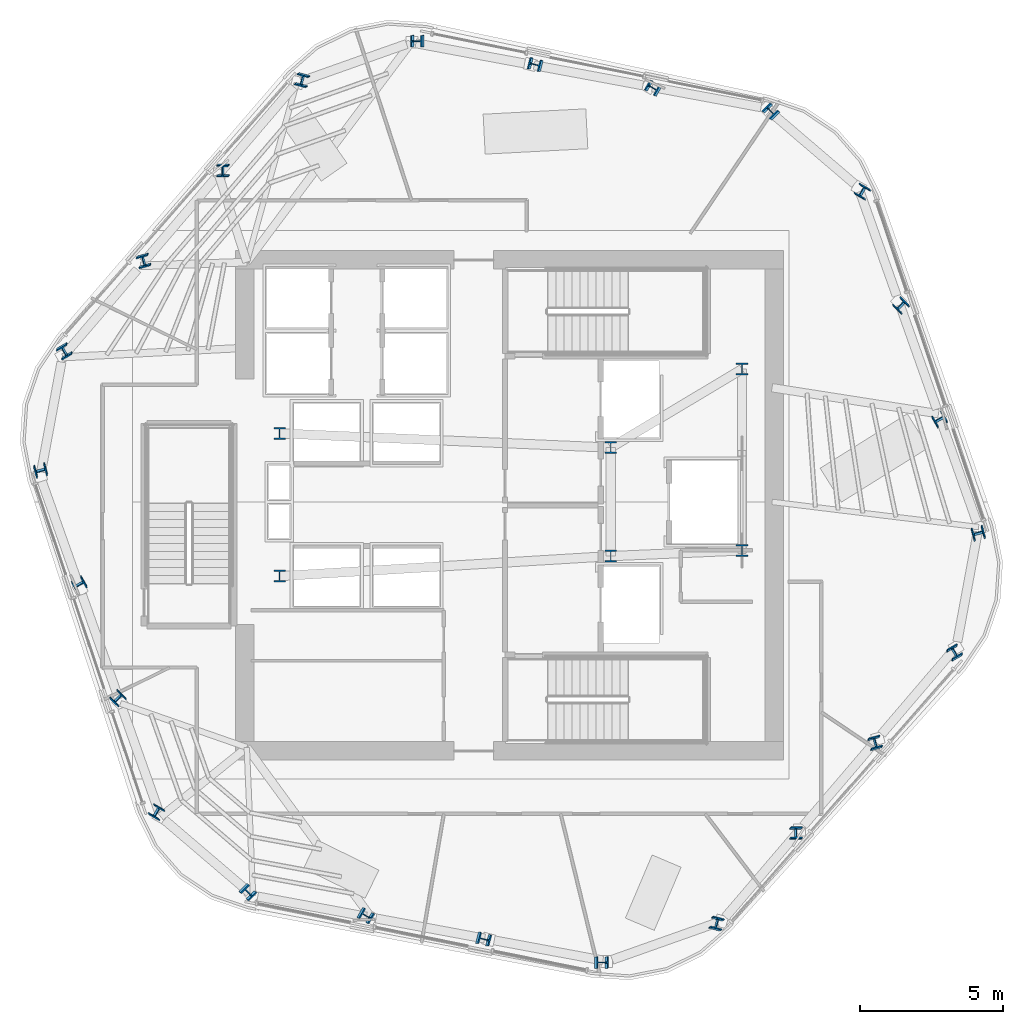
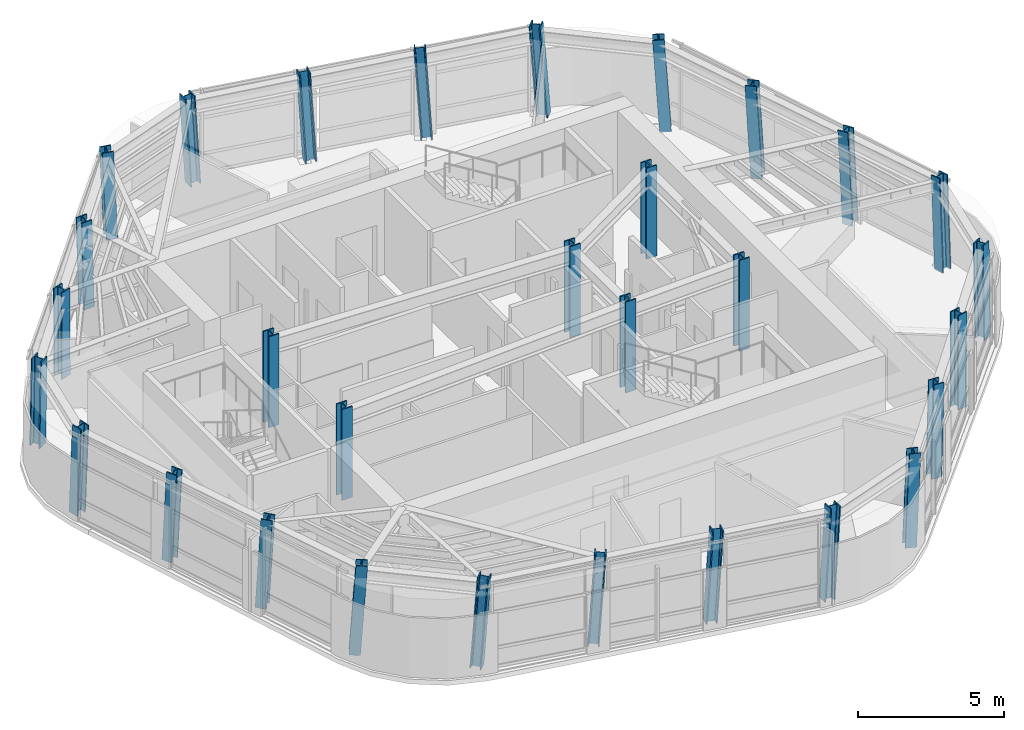
# One storey, part 1 of 12: 30 columns.
"""IFC4 building model written with IfcOpenShell, lengths in metres."""

from ifc_helpers import new_model, si_unit, direction, frame, origin, origin_2d, place, context, subcontext, project, spatial, i_section, extrude, material, material_profile, profile_set, type_object, element, save


model = new_model("IFC4")

# Units and contexts
model_context = context("Model", 3, precision=1e-05, world=origin(), true_north=direction((0.0, 1.0)))
body_context = subcontext(model_context, "Body", "Model", "MODEL_VIEW")
ifc_project = project(units=[si_unit("LENGTHUNIT", "METRE"), si_unit("AREAUNIT", "SQUARE_METRE"), si_unit("VOLUMEUNIT", "CUBIC_METRE"), si_unit("PLANEANGLEUNIT", "RADIAN"), si_unit("MASSUNIT", "GRAM", prefix="KILO")], contexts=[model_context])

# Site, building, storey
site_placement = place(None, origin())
site = spatial("IfcSite", under=ifc_project, at=site_placement, CompositionType="ELEMENT")
building_placement = place(site_placement, origin())
building = spatial("IfcBuilding", under=site, at=building_placement, Name="Valkerne Bourse Tower", CompositionType="ELEMENT")
storey_placement = place(building_placement, frame((0.0, 0.0, 232.199951171875)))
storey = spatial("IfcBuildingStorey", under=building, at=storey_placement, Name="L59", CompositionType="ELEMENT", Elevation=232.199951171875)

# Columns
ifc_material = material(Name="Steel ASTM A913 Grade 65", Category="steel")
ifc_material_profile_1 = material_profile(ifc_material, i_section(OverallWidth=0.40380859375, OverallDepth=0.406494140625, WebThickness=0.027099609375, FlangeThickness=0.043701171875, FilletRadius=0.025390625, at=origin_2d()), Name="W14X233")
ifc_profile_set_1 = profile_set([ifc_material_profile_1], Name="Steel ASTM A913 Grade 65")
column_type_1 = type_object("IfcColumnType", Name="COL-W14X233", PredefinedType="COLUMN", material=ifc_profile_set_1)
column_1_placement = place(storey_placement, frame((55.99755859375, 40.650146484375, 0.010009765625), z_axis=(-0.056882678863, 0.037685579994, 0.997669363019), x_axis=(0.705796998482, 0.708285747788, 0.013486897863)))
element("IfcColumn", 1, at=column_1_placement, inside=storey, type_object=column_type_1, Name="L59 Helical Perimeter Tube Column F1-C1", PredefinedType="COLUMN", context=body_context, shape_type="SweptSolid", body=[
    extrude(i_section(OverallWidth=0.40380859375, OverallDepth=0.406494140625, WebThickness=0.027099609375, FlangeThickness=0.043701171875, FilletRadius=0.025390625, at=origin_2d()), origin(), (0.0, 0.0, 1.0), 3.789794921875),
])
for number, where, z_axis, x_axis, name in (
    (2, (51.86865234375, 41.482666015625, 0.010009765625), (-0.060250754527, 0.02055613978, 0.997971588622), (0.503220128443, 0.864066646389, 0.012583041254), "L59 Helical Perimeter Tube Column F1-C2"),
    (3, (47.73974609375, 42.315185546875, 0.010009765625), (-0.063537302581, 0.003350851657, 0.997973838822), (0.248609233665, 0.968522220435, 0.012576066955), "L59 Helical Perimeter Tube Column F1-C3"),
):
    element("IfcColumn", number, at=place(storey_placement, frame(where, z_axis=z_axis, x_axis=x_axis)), inside=storey, type_object=column_type_1, Name=name, PredefinedType="COLUMN", context=body_context, shape_type="SweptSolid", body=[
        extrude(i_section(OverallWidth=0.40380859375, OverallDepth=0.406494140625, WebThickness=0.027099609375, FlangeThickness=0.043701171875, FilletRadius=0.025390625, at=origin_2d()), origin(), (0.0, 0.0, 1.0), 3.78857421875),
    ])
for number, where, z_axis, x_axis, name in (
    (4, (43.61083984375, 43.147705078125, 0.010009765625), (-0.066867622332, -0.01372139071, 0.997667501987), (-0.003876825481, 0.999901459512, 0.0134922752), "L59 Helical Perimeter Tube Column F1-C4"),
    (5, (39.577392578125, 41.790283203125, 0.010009765625), (-0.06107001951, -0.030406170052, 0.99767024489), (-0.964669126553, 0.25844686, -0.051173204239), "L59 Helical Perimeter Tube Column F2-C1"),
):
    element("IfcColumn", number, at=place(storey_placement, frame(where, z_axis=z_axis, x_axis=x_axis)), inside=storey, type_object=column_type_1, Name=name, PredefinedType="COLUMN", context=body_context, shape_type="SweptSolid", body=[
        extrude(i_section(OverallWidth=0.40380859375, OverallDepth=0.406494140625, WebThickness=0.027099609375, FlangeThickness=0.043701171875, FilletRadius=0.025390625, at=origin_2d()), origin(), (0.0, 0.0, 1.0), 3.789794921875),
    ])
for number, where, z_axis, x_axis, name in (
    (6, (36.7919921875, 38.630859375, 0.010009765625), (-0.04787854992, -0.041885676242, 0.9979745661), (-0.998849174021, 0.004831951222, -0.047717709563), "L59 Helical Perimeter Tube Column F2-C2"),
    (7, (34.006591796875, 35.471435546875, 0.010009765625), (-0.034732779322, -0.053355735212, 0.997971342054), (-0.9626264008, -0.266589219408, -0.047755633996), "L59 Helical Perimeter Tube Column F2-C3"),
):
    element("IfcColumn", number, at=place(storey_placement, frame(where, z_axis=z_axis, x_axis=x_axis)), inside=storey, type_object=column_type_1, Name=name, PredefinedType="COLUMN", context=body_context, shape_type="SweptSolid", body=[
        extrude(i_section(OverallWidth=0.40380859375, OverallDepth=0.406494140625, WebThickness=0.027099609375, FlangeThickness=0.043701171875, FilletRadius=0.025390625, at=origin_2d()), origin(), (0.0, 0.0, 1.0), 3.78857421875),
    ])
for number, where, z_axis, x_axis, name in (
    (8, (31.22119140625, 32.31201171875, 0.010009765625), (-0.021516226351, -0.06474193857, 0.997670052369), (-0.863579802774, -0.501608424234, -0.051175316103), "L59 Helical Perimeter Tube Column F2-C4"),
    (9, (30.3798828125, 28.14013671875, 0.010009765625), (-0.004187290489, -0.068091785335, 0.997670273872), (0.260320515858, -0.963354909563, -0.064657151539), "L59 Helical Perimeter Tube Column F3-C1"),
):
    element("IfcColumn", number, at=place(storey_placement, frame(where, z_axis=z_axis, x_axis=x_axis)), inside=storey, type_object=column_type_1, Name=name, PredefinedType="COLUMN", context=body_context, shape_type="SweptSolid", body=[
        extrude(i_section(OverallWidth=0.40380859375, OverallDepth=0.406494140625, WebThickness=0.027099609375, FlangeThickness=0.043701171875, FilletRadius=0.025390625, at=origin_2d()), origin(), (0.0, 0.0, 1.0), 3.789794921875),
    ])
for number, where, z_axis, x_axis, name in (
    (10, (31.723388671875, 24.148193359375, 0.010009765625), (0.012307971544, -0.062377573059, 0.997976729296), (0.496025324743, -0.866214573891, -0.060259349425), "L59 Helical Perimeter Tube Column F3-C2"),
    (11, (33.06689453125, 20.15625, 0.010009765625), (0.028804477688, -0.056706801712, 0.997975270588), (0.712729936799, -0.698843496564, -0.060281045956), "L59 Helical Perimeter Tube Column F3-C3"),
):
    element("IfcColumn", number, at=place(storey_placement, frame(where, z_axis=z_axis, x_axis=x_axis)), inside=storey, type_object=column_type_1, Name=name, PredefinedType="COLUMN", context=body_context, shape_type="SweptSolid", body=[
        extrude(i_section(OverallWidth=0.40380859375, OverallDepth=0.406494140625, WebThickness=0.027099609375, FlangeThickness=0.043701171875, FilletRadius=0.025390625, at=origin_2d()), origin(), (0.0, 0.0, 1.0), 3.78857421875),
    ])
for number, where, z_axis, x_axis, name in (
    (12, (34.410400390625, 16.164306640625, 0.010009765625), (0.045287157228, -0.051020524217, 0.997670275942), (0.866239835505, -0.495427092365, -0.064657122846), "L59 Helical Perimeter Tube Column F3-C4"),
    (13, (37.6025390625, 13.349853515625, 0.010009765625), (0.056882678863, -0.037685579994, 0.997669363019), (0.705796998482, 0.708285747788, -0.013486897863), "L59 Helical Perimeter Tube Column F4-C1"),
):
    element("IfcColumn", number, at=place(storey_placement, frame(where, z_axis=z_axis, x_axis=x_axis)), inside=storey, type_object=column_type_1, Name=name, PredefinedType="COLUMN", context=body_context, shape_type="SweptSolid", body=[
        extrude(i_section(OverallWidth=0.40380859375, OverallDepth=0.406494140625, WebThickness=0.027099609375, FlangeThickness=0.043701171875, FilletRadius=0.025390625, at=origin_2d()), origin(), (0.0, 0.0, 1.0), 3.789794921875),
    ])
for number, where, z_axis, x_axis, name in (
    (14, (41.7314453125, 12.517333984375, 0.010009765625), (0.060186548768, -0.020556219547, 0.997975461214), (0.503503515955, 0.863901718063, -0.012571036084), "L59 Helical Perimeter Tube Column F4-C2"),
    (15, (45.8603515625, 11.684814453125, 0.010009765625), (0.063537302581, -0.003350851657, 0.997973838822), (0.248609233665, 0.968522220435, -0.012576066955), "L59 Helical Perimeter Tube Column F4-C3"),
):
    element("IfcColumn", number, at=place(storey_placement, frame(where, z_axis=z_axis, x_axis=x_axis)), inside=storey, type_object=column_type_1, Name=name, PredefinedType="COLUMN", context=body_context, shape_type="SweptSolid", body=[
        extrude(i_section(OverallWidth=0.40380859375, OverallDepth=0.406494140625, WebThickness=0.027099609375, FlangeThickness=0.043701171875, FilletRadius=0.025390625, at=origin_2d()), origin(), (0.0, 0.0, 1.0), 3.78857421875),
    ])
for number, where, z_axis, x_axis, name in (
    (16, (49.9892578125, 10.852294921875, 0.010009765625), (0.066803490282, 0.013721449788, 0.997671797487), (-0.004065852672, 0.999900876191, -0.013479860361), "L59 Helical Perimeter Tube Column F4-C4"),
    (17, (54.022705078125, 12.209716796875, 0.010009765625), (0.061005839537, 0.030406289611, 0.9976741678), (-0.964780538988, 0.258039181251, 0.05113015283), "L59 Helical Perimeter Tube Column F5-C1"),
):
    element("IfcColumn", number, at=place(storey_placement, frame(where, z_axis=z_axis, x_axis=x_axis)), inside=storey, type_object=column_type_1, Name=name, PredefinedType="COLUMN", context=body_context, shape_type="SweptSolid", body=[
        extrude(i_section(OverallWidth=0.40380859375, OverallDepth=0.406494140625, WebThickness=0.027099609375, FlangeThickness=0.043701171875, FilletRadius=0.025390625, at=origin_2d()), origin(), (0.0, 0.0, 1.0), 3.789794921875),
    ])
for number, where, z_axis, x_axis, name in (
    (18, (56.80810546875, 15.369140625, 0.010009765625), (0.04787854992, 0.041885676242, 0.9979745661), (-0.998849174021, 0.004831951222, 0.047717709563), "L59 Helical Perimeter Tube Column F5-C2"),
    (19, (59.593505859375, 18.528564453125, 0.010009765625), (0.034732779322, 0.053355735212, 0.997971342054), (-0.9626264008, -0.266589219408, 0.047755633996), "L59 Helical Perimeter Tube Column F5-C3"),
):
    element("IfcColumn", number, at=place(storey_placement, frame(where, z_axis=z_axis, x_axis=x_axis)), inside=storey, type_object=column_type_1, Name=name, PredefinedType="COLUMN", context=body_context, shape_type="SweptSolid", body=[
        extrude(i_section(OverallWidth=0.40380859375, OverallDepth=0.406494140625, WebThickness=0.027099609375, FlangeThickness=0.043701171875, FilletRadius=0.025390625, at=origin_2d()), origin(), (0.0, 0.0, 1.0), 3.78857421875),
    ])
for number, where, z_axis, x_axis, name in (
    (20, (62.37890625, 21.68798828125, 0.010009765625), (0.021516226351, 0.06474193857, 0.997670052369), (-0.863579802774, -0.501608424234, 0.051175316103), "L59 Helical Perimeter Tube Column F5-C4"),
    (21, (63.22021484375, 25.85986328125, 0.010009765625), (0.004187290489, 0.068091785335, 0.997670273872), (0.260320515858, -0.963354909563, 0.064657151539), "L59 Helical Perimeter Tube Column F6-C1"),
):
    element("IfcColumn", number, at=place(storey_placement, frame(where, z_axis=z_axis, x_axis=x_axis)), inside=storey, type_object=column_type_1, Name=name, PredefinedType="COLUMN", context=body_context, shape_type="SweptSolid", body=[
        extrude(i_section(OverallWidth=0.40380859375, OverallDepth=0.406494140625, WebThickness=0.027099609375, FlangeThickness=0.043701171875, FilletRadius=0.025390625, at=origin_2d()), origin(), (0.0, 0.0, 1.0), 3.789794921875),
    ])
for number, where, z_axis, x_axis, name in (
    (22, (61.876708984375, 29.851806640625, 0.010009765625), (-0.012307971544, 0.062377573059, 0.997976729296), (0.496025324743, -0.866214573891, 0.060259349425), "L59 Helical Perimeter Tube Column F6-C2"),
    (23, (60.533203125, 33.84375, 0.010009765625), (-0.028804477688, 0.056706801712, 0.997975270588), (0.712729936799, -0.698843496564, 0.060281045956), "L59 Helical Perimeter Tube Column F6-C3"),
):
    element("IfcColumn", number, at=place(storey_placement, frame(where, z_axis=z_axis, x_axis=x_axis)), inside=storey, type_object=column_type_1, Name=name, PredefinedType="COLUMN", context=body_context, shape_type="SweptSolid", body=[
        extrude(i_section(OverallWidth=0.40380859375, OverallDepth=0.406494140625, WebThickness=0.027099609375, FlangeThickness=0.043701171875, FilletRadius=0.025390625, at=origin_2d()), origin(), (0.0, 0.0, 1.0), 3.78857421875),
    ])
column_2_placement = place(storey_placement, frame((59.189697265625, 37.835693359375, 0.010009765625), z_axis=(-0.045287157228, 0.051020524217, 0.997670275942), x_axis=(0.866239835505, -0.495427092365, 0.064657122846)))
element("IfcColumn", 24, at=column_2_placement, inside=storey, type_object=column_type_1, Name="L59 Helical Perimeter Tube Column F6-C4", PredefinedType="COLUMN", context=body_context, shape_type="SweptSolid", body=[
    extrude(i_section(OverallWidth=0.40380859375, OverallDepth=0.406494140625, WebThickness=0.027099609375, FlangeThickness=0.043701171875, FilletRadius=0.025390625, at=origin_2d()), origin(), (0.0, 0.0, 1.0), 3.789794921875),
])
ifc_material_profile_2 = material_profile(ifc_material, i_section(OverallWidth=0.408935546875, OverallDepth=0.42431640625, WebThickness=0.03271484375, FlangeThickness=0.052490234375, FilletRadius=0.025390625, at=origin_2d()), Name="W14X283")
ifc_profile_set_2 = profile_set([ifc_material_profile_2], Name="Steel ASTM A913 Grade 65")
column_type_2 = type_object("IfcColumnType", Name="COL-W14X283", PredefinedType="COLUMN", material=ifc_profile_set_2)
for number, where, z_axis, x_axis, name in (
    (25, (38.75, 24.39990234375, 0.005126953125), (0.0, 0.0, 1.0), (1.0, 0.0, 0.0), "L59 Core Frame Column CC-SW"),
    (26, (38.75, 29.39990234375, 0.005126953125), (0.0, 0.0, 1.0), (1.0, 0.0, 0.0), "L59 Core Frame Column CC-NW"),
    (27, (50.35009765625, 25.10009765625, 0.005126953125), (0.0, 0.0, 1.0), (1.0, 0.0, 0.0), "L59 Core Frame Column CC-CE1"),
    (28, (50.35009765625, 28.89990234375, 0.005126953125), (0.0, 0.0, 1.0), (1.0, 0.0, 0.0), "L59 Core Frame Column CC-CE2"),
    (29, (54.949951171875, 25.300048828125, 0.005126953125), (0.0, 0.0, 1.0), (1.0, 0.0, 0.0), "L59 Core Frame Column CC-SE"),
    (30, (54.949951171875, 31.64990234375, 0.005126953125), (0.0, 0.0, 1.0), (1.0, 0.0, 0.0), "L59 Core Frame Column CC-NE"),
):
    element("IfcColumn", number, at=place(storey_placement, frame(where, z_axis=z_axis, x_axis=x_axis)), inside=storey, type_object=column_type_2, Name=name, PredefinedType="COLUMN", context=body_context, shape_type="SweptSolid", body=[
        extrude(i_section(OverallWidth=0.408935546875, OverallDepth=0.42431640625, WebThickness=0.03271484375, FlangeThickness=0.052490234375, FilletRadius=0.025390625, at=origin_2d()), origin(), (0.0, 0.0, 1.0), 3.794921875),
    ])

save(model, "model.ifc")
